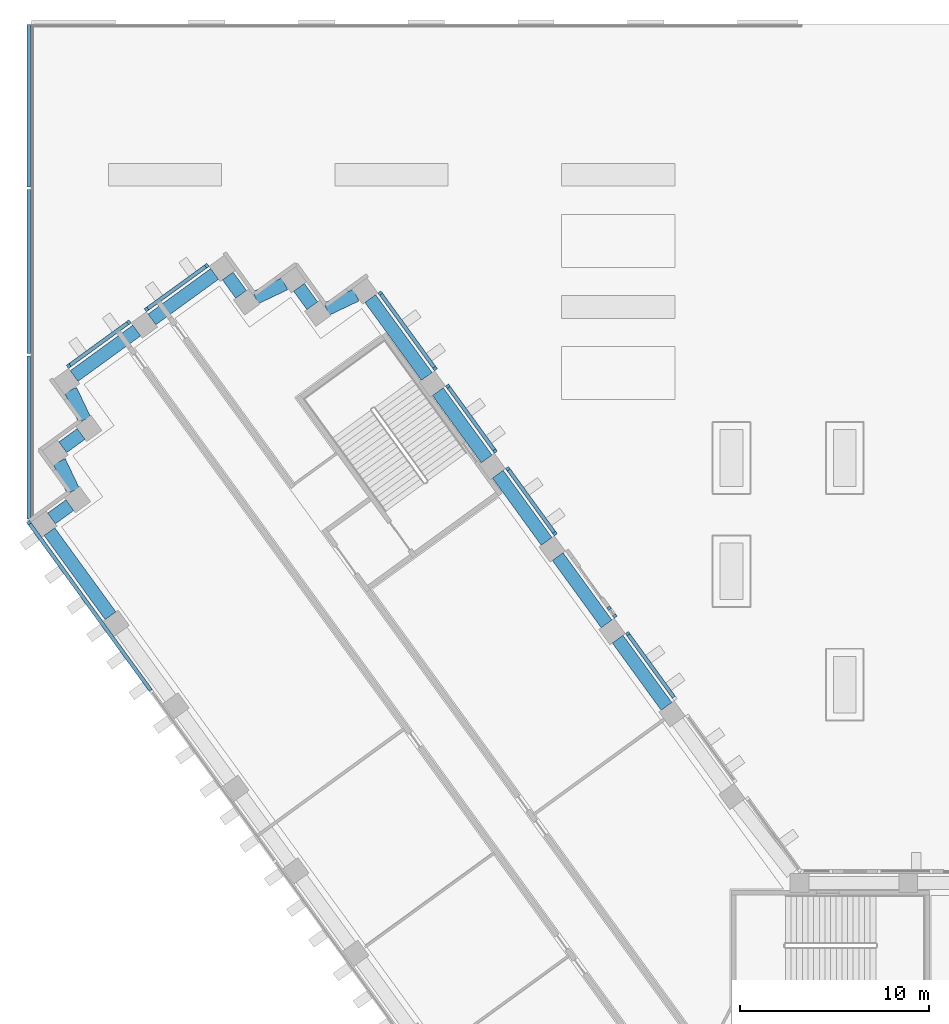
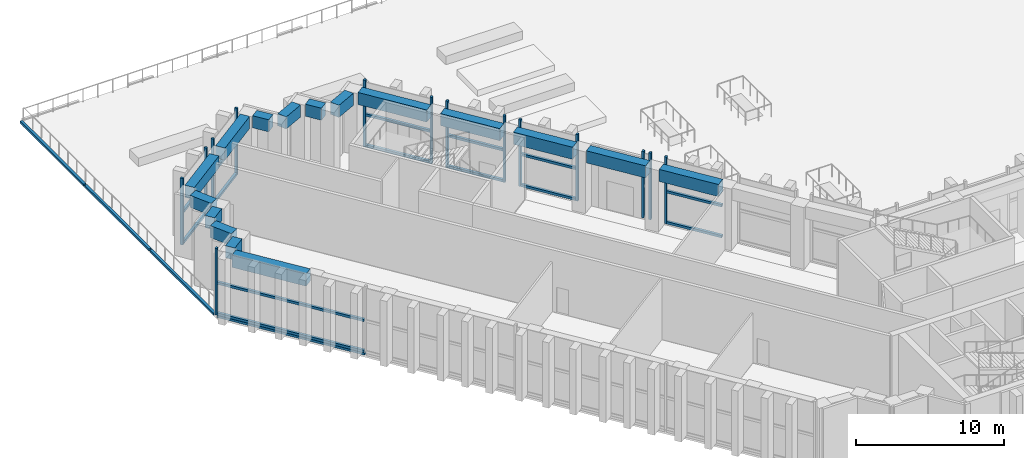
"""IFC4 building model written with IfcOpenShell, lengths in metres."""

from ifc_helpers import new_model, si_unit, direction, frame, origin, origin_2d, place, context, subcontext, project, spatial, rectangle, extrude, material, material_profile, profile_set, type_object, element, aggregate, save


model = new_model("IFC4")

# Units and contexts
model_context = context("Model", 3, precision=1e-05, world=origin(), true_north=direction((0.0, 1.0)))
body_context = subcontext(model_context, "Body", "Model", "MODEL_VIEW")
ifc_project = project(units=[si_unit("LENGTHUNIT", "METRE"), si_unit("AREAUNIT", "SQUARE_METRE"), si_unit("VOLUMEUNIT", "CUBIC_METRE"), si_unit("PLANEANGLEUNIT", "RADIAN"), si_unit("MASSUNIT", "GRAM", prefix="KILO")], contexts=[model_context])

# Site, building, storey
site_placement = place(None, origin())
site = spatial("IfcSite", under=ifc_project, at=site_placement, CompositionType="ELEMENT")
building_placement = place(site_placement, origin())
building = spatial("IfcBuilding", under=site, at=building_placement, Name="Quipu Civic Tower", CompositionType="ELEMENT")
storey_1_placement = place(building_placement, frame((0.0, 0.0, 6.0)))
storey_1 = spatial("IfcBuildingStorey", under=building, at=storey_1_placement, Name="L01", CompositionType="ELEMENT", Elevation=6.0)

# Curtain wall, member
ifc_material_1 = material(Name="Insulated glass unit", Category="glass")
curtain_wall_type_1 = type_object("IfcCurtainWallType", Name="Council chamber curtain wall CW4", PredefinedType="NOTDEFINED", material=ifc_material_1)
curtain_wall_1_placement = place(storey_1_placement, origin())
curtain_wall_1 = element("IfcCurtainWall", 1, at=curtain_wall_1_placement, inside=storey_1, type_object=curtain_wall_type_1, Name="Council chamber curtain wall CW4 L01 run 3", PredefinedType="NOTDEFINED")
ifc_material_2 = material(Name="Anodised aluminium", Category="aluminium")
ifc_material_profile_1 = material_profile(ifc_material_2, rectangle(XDim=0.199951171875, YDim=0.159912109375, at=origin_2d()), Name="RECT 200x160")
ifc_profile_set_1 = profile_set([ifc_material_profile_1], Name="Anodised aluminium")
member_type_1 = type_object("IfcMemberType", Name="Mullion CW4", PredefinedType="MULLION", material=ifc_profile_set_1)
member_1_placement = place(storey_1_placement, frame((-23.495361328125, 23.695556640625, 0.10009765625), z_axis=(0.0, 0.0, 1.0), x_axis=(-0.809024930992, -0.587774328321, 0.0)))
member_1 = element("IfcMember", 2, at=member_1_placement, type_object=member_type_1, Name="CW4 mullion 2", PredefinedType="MULLION", context=body_context, shape_type="SweptSolid", body=[
    extrude(rectangle(XDim=0.199951171875, YDim=0.159912109375, at=origin_2d()), origin(), (0.0, 0.0, 1.0), 5.5),
])

# Curtain wall, members
curtain_wall_2_placement = place(storey_1_placement, origin())
curtain_wall_2 = element("IfcCurtainWall", 3, at=curtain_wall_2_placement, inside=storey_1, type_object=curtain_wall_type_1, Name="Council chamber curtain wall CW4 L01 run 4", PredefinedType="NOTDEFINED")
member_2_placement = place(storey_1_placement, frame((-24.17724609375, 24.634033203125, 0.10009765625), z_axis=(0.0, 0.0, 1.0), x_axis=(-0.809012627105, -0.587791263278, 0.0)))
member_2 = element("IfcMember", 4, at=member_2_placement, type_object=member_type_1, Name="CW4 mullion 1", PredefinedType="MULLION", context=body_context, shape_type="SweptSolid", body=[
    extrude(rectangle(XDim=0.199951171875, YDim=0.159912109375, at=origin_2d()), origin(), (0.0, 0.0, 1.0), 5.5),
])
member_3_placement = place(storey_1_placement, frame((-24.478271484375, 25.048583984375, 0.10009765625), z_axis=(0.0, 0.0, 1.0), x_axis=(-0.809012627105, -0.587791263278, 0.0)))
member_3 = element("IfcMember", 5, at=member_3_placement, type_object=member_type_1, Name="CW4 mullion 2", PredefinedType="MULLION", context=body_context, shape_type="SweptSolid", body=[
    extrude(rectangle(XDim=0.199951171875, YDim=0.159912109375, at=origin_2d()), origin(), (0.0, 0.0, 1.0), 5.5),
])
aggregate(curtain_wall_2, [member_2, member_3])

curtain_wall_3_placement = place(storey_1_placement, origin())
curtain_wall_3 = element("IfcCurtainWall", 6, at=curtain_wall_3_placement, inside=storey_1, type_object=curtain_wall_type_1, Name="Council chamber curtain wall CW4 L01 run 7", PredefinedType="NOTDEFINED")
member_4_placement = place(storey_1_placement, frame((-27.351318359375, 29.0029296875, 0.10009765625), z_axis=(0.0, 0.0, 1.0), x_axis=(-0.809017078969, -0.587785135859, 0.0)))
member_4 = element("IfcMember", 7, at=member_4_placement, type_object=member_type_1, Name="CW4 mullion 1", PredefinedType="MULLION", context=body_context, shape_type="SweptSolid", body=[
    extrude(rectangle(XDim=0.199951171875, YDim=0.159912109375, at=origin_2d()), origin(), (0.0, 0.0, 1.0), 5.5),
])
member_5_placement = place(storey_1_placement, frame((-29.843505859375, 32.43310546875, 0.10009765625), z_axis=(0.0, 0.0, 1.0), x_axis=(-0.809017078969, -0.587785135859, 0.0)))
member_5 = element("IfcMember", 8, at=member_5_placement, type_object=member_type_1, Name="CW4 mullion 2", PredefinedType="MULLION", context=body_context, shape_type="SweptSolid", body=[
    extrude(rectangle(XDim=0.199951171875, YDim=0.159912109375, at=origin_2d()), origin(), (0.0, 0.0, 1.0), 5.5),
])

curtain_wall_4_placement = place(storey_1_placement, origin())
curtain_wall_4 = element("IfcCurtainWall", 9, at=curtain_wall_4_placement, inside=storey_1, type_object=curtain_wall_type_1, Name="Council chamber curtain wall CW4 L01 run 8", PredefinedType="NOTDEFINED")
member_6_placement = place(storey_1_placement, frame((-30.525390625, 33.37158203125, 0.10009765625), z_axis=(0.0, 0.0, 1.0), x_axis=(-0.809014123608, -0.587789203544, 0.0)))
member_6 = element("IfcMember", 10, at=member_6_placement, type_object=member_type_1, Name="CW4 mullion 1", PredefinedType="MULLION", context=body_context, shape_type="SweptSolid", body=[
    extrude(rectangle(XDim=0.199951171875, YDim=0.159912109375, at=origin_2d()), origin(), (0.0, 0.0, 1.0), 5.5),
])
member_7_placement = place(storey_1_placement, frame((-33.017578125, 36.8017578125, 0.10009765625), z_axis=(0.0, 0.0, 1.0), x_axis=(-0.809014123608, -0.587789203544, 0.0)))
member_7 = element("IfcMember", 11, at=member_7_placement, type_object=member_type_1, Name="CW4 mullion 2", PredefinedType="MULLION", context=body_context, shape_type="SweptSolid", body=[
    extrude(rectangle(XDim=0.199951171875, YDim=0.159912109375, at=origin_2d()), origin(), (0.0, 0.0, 1.0), 5.5),
])

curtain_wall_5_placement = place(storey_1_placement, origin())
curtain_wall_5 = element("IfcCurtainWall", 12, at=curtain_wall_5_placement, inside=storey_1, type_object=curtain_wall_type_1, Name="Council chamber curtain wall CW4 L01 run 9", PredefinedType="NOTDEFINED")
member_8_placement = place(storey_1_placement, frame((-33.699462890625, 37.740234375, 0.10009765625), z_axis=(0.0, 0.0, 1.0), x_axis=(-0.809018644949, -0.587782980465, 0.0)))
member_8 = element("IfcMember", 13, at=member_8_placement, type_object=member_type_1, Name="CW4 mullion 1", PredefinedType="MULLION", context=body_context, shape_type="SweptSolid", body=[
    extrude(rectangle(XDim=0.199951171875, YDim=0.159912109375, at=origin_2d()), origin(), (0.0, 0.0, 1.0), 5.5),
])
member_9_placement = place(storey_1_placement, frame((-36.60009765625, 41.732421875, 0.10009765625), z_axis=(0.0, 0.0, 1.0), x_axis=(-0.809018644949, -0.587782980465, 0.0)))
member_9 = element("IfcMember", 14, at=member_9_placement, type_object=member_type_1, Name="CW4 mullion 2", PredefinedType="MULLION", context=body_context, shape_type="SweptSolid", body=[
    extrude(rectangle(XDim=0.199951171875, YDim=0.159912109375, at=origin_2d()), origin(), (0.0, 0.0, 1.0), 5.5),
])

curtain_wall_6_placement = place(storey_1_placement, origin())
curtain_wall_6 = element("IfcCurtainWall", 15, at=curtain_wall_6_placement, inside=storey_1, type_object=curtain_wall_type_1, Name="Council chamber curtain wall CW4 L01 run 14", PredefinedType="NOTDEFINED")
member_10_placement = place(storey_1_placement, frame((-45.791259765625, 43.1884765625, 0.10009765625), z_axis=(0.0, 0.0, 1.0), x_axis=(0.587767018974, -0.809030241342, 0.0)))
member_10 = element("IfcMember", 16, at=member_10_placement, type_object=member_type_1, Name="CW4 mullion 1", PredefinedType="MULLION", context=body_context, shape_type="SweptSolid", body=[
    extrude(rectangle(XDim=0.199951171875, YDim=0.159912109375, at=origin_2d()), origin(), (0.0, 0.0, 1.0), 5.5),
])
member_11_placement = place(storey_1_placement, frame((-48.978759765625, 40.872802734375, 0.10009765625), z_axis=(0.0, 0.0, 1.0), x_axis=(0.587767018974, -0.809030241342, 0.0)))
member_11 = element("IfcMember", 17, at=member_11_placement, type_object=member_type_1, Name="CW4 mullion 2", PredefinedType="MULLION", context=body_context, shape_type="SweptSolid", body=[
    extrude(rectangle(XDim=0.199951171875, YDim=0.159912109375, at=origin_2d()), origin(), (0.0, 0.0, 1.0), 5.5),
])

curtain_wall_7_placement = place(storey_1_placement, origin())
curtain_wall_7 = element("IfcCurtainWall", 18, at=curtain_wall_7_placement, inside=storey_1, type_object=curtain_wall_type_1, Name="Council chamber curtain wall CW4 L01 run 15", PredefinedType="NOTDEFINED")
member_12_placement = place(storey_1_placement, frame((-49.917236328125, 40.19091796875, 0.10009765625), z_axis=(0.0, 0.0, 1.0), x_axis=(0.587788590681, -0.809014568883, 0.0)))
member_12 = element("IfcMember", 19, at=member_12_placement, type_object=member_type_1, Name="CW4 mullion 1", PredefinedType="MULLION", context=body_context, shape_type="SweptSolid", body=[
    extrude(rectangle(XDim=0.199951171875, YDim=0.159912109375, at=origin_2d()), origin(), (0.0, 0.0, 1.0), 5.5),
])
member_13_placement = place(storey_1_placement, frame((-53.103271484375, 37.876220703125, 0.10009765625), z_axis=(0.0, 0.0, 1.0), x_axis=(0.587788590681, -0.809014568883, 0.0)))
member_13 = element("IfcMember", 20, at=member_13_placement, type_object=member_type_1, Name="CW4 mullion 2", PredefinedType="MULLION", context=body_context, shape_type="SweptSolid", body=[
    extrude(rectangle(XDim=0.199951171875, YDim=0.159912109375, at=origin_2d()), origin(), (0.0, 0.0, 1.0), 5.5),
])

# Curtain wall, member
curtain_wall_8_placement = place(storey_1_placement, origin())
curtain_wall_8 = element("IfcCurtainWall", 21, at=curtain_wall_8_placement, inside=storey_1, type_object=curtain_wall_type_1, Name="Council chamber curtain wall CW4 L01 run 20", PredefinedType="NOTDEFINED")
member_14_placement = place(storey_1_placement, frame((-55.20703125, 29.573974609375, 0.10009765625), z_axis=(0.0, 0.0, 1.0), x_axis=(0.809016918788, 0.587785356329, 0.0)))
member_14 = element("IfcMember", 22, at=member_14_placement, type_object=member_type_1, Name="CW4 mullion 1", PredefinedType="MULLION", context=body_context, shape_type="SweptSolid", body=[
    extrude(rectangle(XDim=0.199951171875, YDim=0.159912109375, at=origin_2d()), origin(), (0.0, 0.0, 1.0), 5.5),
])

# Beams
ifc_material_3 = material(Name="Concrete C50/60", Category="concrete")
ifc_material_profile_2 = material_profile(ifc_material_3, rectangle(XDim=0.699951171875, YDim=1.0, at=origin_2d()), Name="RC700x1000")
ifc_profile_set_2 = profile_set([ifc_material_profile_2], Name="Concrete C50/60")
beam_type = type_object("IfcBeamType", Name="Spandrel beam RC 700x1000 C50/60", PredefinedType="SPANDREL", material=ifc_profile_set_2)
for number, where, z_axis, x_axis, name in (
    (23, (-21.441162109375, 19.848388671875, 4.60009765625), (-0.587759228046, 0.809035901457, 0.0), (-0.809035901457, -0.587759228046, 0.0), "Spandrel beam L01 W-IN-02 to W-IN-03"),
    (24, (-24.615234375, 24.217041015625, 4.60009765625), (-0.587732844487, 0.809055068281, 0.0), (-0.809055068281, -0.587732844487, 0.0), "Spandrel beam L01 W-IN-03 to W-IN-04"),
    (25, (-27.7890625, 28.5859375, 4.60009765625), (-0.587759228046, 0.809035901457, 0.0), (-0.809035901457, -0.587759228046, 0.0), "Spandrel beam L01 W-IN-04 to W-IN-05"),
    (26, (-30.962890625, 32.954833984375, 4.60009765625), (-0.587759228046, 0.809035901457, 0.0), (-0.809035901457, -0.587759228046, 0.0), "Spandrel beam L01 W-IN-05 to W-IN-06"),
):
    element("IfcBeam", number, at=place(storey_1_placement, frame(where, z_axis=z_axis, x_axis=x_axis)), inside=storey_1, type_object=beam_type, Name=name, PredefinedType="SPANDREL", context=body_context, shape_type="SweptSolid", body=[
        extrude(rectangle(XDim=0.699951171875, YDim=1.0, at=origin_2d()), origin(), (0.0, 0.0, 1.0), 4.400146484375),
    ])
beam_1_placement = place(storey_1_placement, frame((-34.13671875, 37.32373046875, 4.60009765625), z_axis=(-0.587747065363, 0.809044737426, 0.0), x_axis=(-0.809044737426, -0.587747065363, 0.0)))
element("IfcBeam", 27, at=beam_1_placement, inside=storey_1, type_object=beam_type, Name="Spandrel beam L01 W-IN-06 to T-Wi.0-W50", PredefinedType="SPANDREL", context=body_context, shape_type="SweptSolid", body=[
    extrude(rectangle(XDim=0.699951171875, YDim=1.0, at=origin_2d()), origin(), (0.0, 0.0, 1.0), 5.0947265625),
])
beam_2_placement = place(storey_1_placement, frame((-37.8837890625, 41.630859375, 4.60009765625), z_axis=(-0.902482283387, -0.43072697637, 0.0), x_axis=(0.43072697637, -0.902482283387, 0.0)))
element("IfcBeam", 28, at=beam_2_placement, inside=storey_1, type_object=beam_type, Name="Spandrel beam L01 T-Wi.0-W50 to T-Wi.1-W50", PredefinedType="SPANDREL", context=body_context, shape_type="SweptSolid", body=[
    extrude(rectangle(XDim=0.699951171875, YDim=1.0, at=origin_2d()), origin(), (0.0, 0.0, 1.0), 1.731689453125),
])
beam_3_placement = place(storey_1_placement, frame((-40.19970703125, 41.0703125, 4.60009765625), z_axis=(-0.588316837584, 0.808630508091, 0.0), x_axis=(-0.808630508091, -0.588316837584, 0.0)))
element("IfcBeam", 29, at=beam_3_placement, inside=storey_1, type_object=beam_type, Name="Spandrel beam L01 T-Wi.1-W50 to T-Wi.2-W50", PredefinedType="SPANDREL", context=body_context, shape_type="SweptSolid", body=[
    extrude(rectangle(XDim=0.699951171875, YDim=1.0, at=origin_2d()), origin(), (0.0, 0.0, 1.0), 1.2001953125),
])
beam_4_placement = place(storey_1_placement, frame((-41.658935546875, 42.22607421875, 4.60009765625), z_axis=(-0.902651065962, -0.430373155666, 0.0), x_axis=(0.430373155666, -0.902651065962, 0.0)))
element("IfcBeam", 30, at=beam_4_placement, inside=storey_1, type_object=beam_type, Name="Spandrel beam L01 T-Wi.2-W50 to T-Wi.3-W50", PredefinedType="SPANDREL", context=body_context, shape_type="SweptSolid", body=[
    extrude(rectangle(XDim=0.699951171875, YDim=1.0, at=origin_2d()), origin(), (0.0, 0.0, 1.0), 1.724609375),
])
beam_5_placement = place(storey_1_placement, frame((-43.96875, 41.669189453125, 4.60009765625), z_axis=(-0.588461629015, 0.808525145667, 0.0), x_axis=(-0.808525145667, -0.588461629015, 0.0)))
element("IfcBeam", 31, at=beam_5_placement, inside=storey_1, type_object=beam_type, Name="Spandrel beam L01 T-Wi.3-W50 to T-Wi.4-W50", PredefinedType="SPANDREL", context=body_context, shape_type="SweptSolid", body=[
    extrude(rectangle(XDim=0.699951171875, YDim=1.0, at=origin_2d()), origin(), (0.0, 0.0, 1.0), 1.201416015625),
])
beam_6_placement = place(storey_1_placement, frame((-45.37451171875, 42.7509765625, 4.60009765625), z_axis=(-0.808983206573, -0.587831754401, 0.0), x_axis=(0.587831754401, -0.808983206573, 0.0)))
element("IfcBeam", 32, at=beam_6_placement, inside=storey_1, type_object=beam_type, Name="Spandrel beam L01 T-Wi.4-W50 to TIP-W-01-W50", PredefinedType="SPANDREL", context=body_context, shape_type="SweptSolid", body=[
    extrude(rectangle(XDim=0.699951171875, YDim=1.0, at=origin_2d()), origin(), (0.0, 0.0, 1.0), 4.10009765625),
])
beam_7_placement = place(storey_1_placement, frame((-49.500244140625, 39.7529296875, 4.60009765625), z_axis=(-0.808980758408, -0.587835123589, 0.0), x_axis=(0.587835123589, -0.808980758408, 0.0)))
element("IfcBeam", 33, at=beam_7_placement, inside=storey_1, type_object=beam_type, Name="Spandrel beam L01 TIP-W-01-W50 to T-Wo.0-W50", PredefinedType="SPANDREL", context=body_context, shape_type="SweptSolid", body=[
    extrude(rectangle(XDim=0.699951171875, YDim=1.0, at=origin_2d()), origin(), (0.0, 0.0, 1.0), 4.097900390625),
])
beam_8_placement = place(storey_1_placement, frame((-53.001220703125, 36.5908203125, 4.60009765625), z_axis=(0.430185740912, -0.902740399182, 0.0), x_axis=(0.902740399182, 0.430185740912, 0.0)))
element("IfcBeam", 34, at=beam_8_placement, inside=storey_1, type_object=beam_type, Name="Spandrel beam L01 T-Wo.0-W50 to T-Wo.1-W50", PredefinedType="SPANDREL", context=body_context, shape_type="SweptSolid", body=[
    extrude(rectangle(XDim=0.699951171875, YDim=1.0, at=origin_2d()), origin(), (0.0, 0.0, 1.0), 1.728759765625),
])
beam_9_placement = place(storey_1_placement, frame((-52.443115234375, 34.27685546875, 4.60009765625), z_axis=(-0.808586856323, -0.588376831446, 0.0), x_axis=(0.588376831446, -0.808586856323, 0.0)))
element("IfcBeam", 35, at=beam_9_placement, inside=storey_1, type_object=beam_type, Name="Spandrel beam L01 T-Wo.1-W50 to T-Wo.2-W50", PredefinedType="SPANDREL", context=body_context, shape_type="SweptSolid", body=[
    extrude(rectangle(XDim=0.699951171875, YDim=1.0, at=origin_2d()), origin(), (0.0, 0.0, 1.0), 1.202880859375),
])
beam_10_placement = place(storey_1_placement, frame((-53.6005859375, 32.81640625, 4.60009765625), z_axis=(0.431370473785, -0.902174880135, 0.0), x_axis=(0.902174880135, 0.431370473785, 0.0)))
element("IfcBeam", 36, at=beam_10_placement, inside=storey_1, type_object=beam_type, Name="Spandrel beam L01 T-Wo.2-W50 to T-Wo.3-W50", PredefinedType="SPANDREL", context=body_context, shape_type="SweptSolid", body=[
    extrude(rectangle(XDim=0.699951171875, YDim=1.0, at=origin_2d()), origin(), (0.0, 0.0, 1.0), 1.727294921875),
])
beam_11_placement = place(storey_1_placement, frame((-53.040283203125, 30.50537109375, 4.60009765625), z_axis=(-0.808630508091, -0.588316837584, 0.0), x_axis=(0.588316837584, -0.808630508091, 0.0)))
element("IfcBeam", 37, at=beam_11_placement, inside=storey_1, type_object=beam_type, Name="Spandrel beam L01 T-Wo.3-W50 to T-Wo.4-W50", PredefinedType="SPANDREL", context=body_context, shape_type="SweptSolid", body=[
    extrude(rectangle(XDim=0.699951171875, YDim=1.0, at=origin_2d()), origin(), (0.0, 0.0, 1.0), 1.2001953125),
])
beam_12_placement = place(storey_1_placement, frame((-54.12109375, 29.1005859375, 4.60009765625), z_axis=(0.587765432916, -0.809031393624, 0.0), x_axis=(0.809031393624, 0.587765432916, 0.0)))
element("IfcBeam", 38, at=beam_12_placement, inside=storey_1, type_object=beam_type, Name="Spandrel beam L01 T-Wo.4-W50 to W-OUT-07", PredefinedType="SPANDREL", context=body_context, shape_type="SweptSolid", body=[
    extrude(rectangle(XDim=0.699951171875, YDim=1.0, at=origin_2d()), origin(), (0.0, 0.0, 1.0), 5.503662109375),
])

# Storey
storey_2_placement = place(building_placement, origin())
storey_2 = spatial("IfcBuildingStorey", under=building, at=storey_2_placement, Name="L00", CompositionType="ELEMENT", Elevation=0.0)

# Curtain wall, members
ifc_material_4 = material(Name="Insulated glass unit", Category="glass")
curtain_wall_type_2 = type_object("IfcCurtainWallType", Name="Hall glazing CW2", PredefinedType="NOTDEFINED", material=ifc_material_4)
curtain_wall_9_placement = place(storey_2_placement, origin())
curtain_wall_9 = element("IfcCurtainWall", 39, at=curtain_wall_9_placement, inside=storey_2, type_object=curtain_wall_type_2, Name="Hall glazing CW2 L00 run 32", PredefinedType="NOTDEFINED")
ifc_material_5 = material(Name="Anodised aluminium", Category="aluminium")
ifc_material_profile_3 = material_profile(ifc_material_5, rectangle(XDim=0.199951171875, YDim=0.179931640625, at=origin_2d()), Name="RECT 200x180")
ifc_profile_set_3 = profile_set([ifc_material_profile_3], Name="Anodised aluminium")
member_type_2 = type_object("IfcMemberType", Name="Transom CW2", PredefinedType="USERDEFINED", material=ifc_profile_set_3)
member_15_placement = place(storey_1_placement, frame((-55.21435546875, 55.9599609375, 0.0), z_axis=(0.0, -1.0, 0.0), x_axis=(1.0, 0.0, 0.0)))
member_15 = element("IfcMember", 40, at=member_15_placement, inside=storey_1, type_object=member_type_2, Name="CW2 transom 1.3", ObjectType="TRANSOM", PredefinedType="USERDEFINED", context=body_context, shape_type="SweptSolid", body=[
    extrude(rectangle(XDim=0.199951171875, YDim=0.179931640625, at=origin_2d()), origin(), (0.0, 0.0, 1.0), 8.609130859375),
])
member_16_placement = place(storey_1_placement, frame((-55.21435546875, 47.210693359375, 0.0), z_axis=(0.0, -1.0, 0.0), x_axis=(1.0, 0.0, 0.0)))
member_16 = element("IfcMember", 41, at=member_16_placement, inside=storey_1, type_object=member_type_2, Name="CW2 transom 2.3", ObjectType="TRANSOM", PredefinedType="USERDEFINED", context=body_context, shape_type="SweptSolid", body=[
    extrude(rectangle(XDim=0.199951171875, YDim=0.179931640625, at=origin_2d()), origin(), (0.0, 0.0, 1.0), 8.67919921875),
])
member_17_placement = place(storey_1_placement, frame((-55.21435546875, 38.3916015625, 0.0), z_axis=(0.0, -1.0, 0.0), x_axis=(1.0, 0.0, 0.0)))
member_17 = element("IfcMember", 42, at=member_17_placement, inside=storey_1, type_object=member_type_2, Name="CW2 transom 3.3", ObjectType="TRANSOM", PredefinedType="USERDEFINED", context=body_context, shape_type="SweptSolid", body=[
    extrude(rectangle(XDim=0.199951171875, YDim=0.179931640625, at=origin_2d()), origin(), (0.0, 0.0, 1.0), 8.609130859375),
])
aggregate(curtain_wall_9, [member_15, member_16, member_17])

# Curtain wall, member
curtain_wall_10_placement = place(storey_2_placement, origin())
curtain_wall_10 = element("IfcCurtainWall", 43, at=curtain_wall_10_placement, inside=storey_2, type_object=curtain_wall_type_2, Name="Hall glazing CW2 L00 run 35", PredefinedType="NOTDEFINED")
member_18_placement = place(storey_1_placement, frame((-55.13720703125, 29.47802734375, 0.0), z_axis=(0.587763979163, -0.809032449781, 0.0), x_axis=(0.809032449781, 0.587763979163, 0.0)))
member_18 = element("IfcMember", 44, at=member_18_placement, inside=storey_1, type_object=member_type_2, Name="CW2 transom 1.3", ObjectType="TRANSOM", PredefinedType="USERDEFINED", context=body_context, shape_type="SweptSolid", body=[
    extrude(rectangle(XDim=0.199951171875, YDim=0.179931640625, at=origin_2d()), origin(), (0.0, 0.0, 1.0), 10.89697265625),
])
aggregate(curtain_wall_10, [member_18])

# Member
ifc_material_6 = material(Name="Anodised aluminium", Category="aluminium")
ifc_material_profile_4 = material_profile(ifc_material_6, rectangle(XDim=0.199951171875, YDim=0.199951171875, at=origin_2d()), Name="RECT 200x200")
ifc_profile_set_4 = profile_set([ifc_material_profile_4], Name="Anodised aluminium")
member_type_3 = type_object("IfcMemberType", Name="Transom CW4", PredefinedType="USERDEFINED", material=ifc_profile_set_4)
member_19_placement = place(storey_1_placement, frame((-21.05029296875, 20.330078125, 0.199951171875), z_axis=(-0.587790931986, 0.809012867805, 0.0), x_axis=(-0.809012867805, -0.587790931986, 0.0)))
member_19 = element("IfcMember", 45, at=member_19_placement, type_object=member_type_3, Name="CW4 transom 1.1", ObjectType="TRANSOM", PredefinedType="USERDEFINED", context=body_context, shape_type="SweptSolid", body=[
    extrude(rectangle(XDim=0.199951171875, YDim=0.199951171875, at=origin_2d()), origin(), (0.0, 0.0, 1.0), 4.080078125),
])

member_20_placement = place(storey_1_placement, frame((-21.05029296875, 20.330078125, 2.75), z_axis=(-0.587790931986, 0.809012867805, 0.0), x_axis=(-0.809012867805, -0.587790931986, 0.0)))
member_20 = element("IfcMember", 46, at=member_20_placement, type_object=member_type_3, Name="CW4 transom 1.2", ObjectType="TRANSOM", PredefinedType="USERDEFINED", context=body_context, shape_type="SweptSolid", body=[
    extrude(rectangle(XDim=0.199951171875, YDim=0.199951171875, at=origin_2d()), origin(), (0.0, 0.0, 1.0), 4.080078125),
])

aggregate(curtain_wall_1, [member_1, member_19, member_20])

member_21_placement = place(storey_1_placement, frame((-27.3984375, 29.067626953125, 0.199951171875), z_axis=(-0.587790931986, 0.809012867805, 0.0), x_axis=(-0.809012867805, -0.587790931986, 0.0)))
member_21 = element("IfcMember", 47, at=member_21_placement, type_object=member_type_3, Name="CW4 transom 1.1", ObjectType="TRANSOM", PredefinedType="USERDEFINED", context=body_context, shape_type="SweptSolid", body=[
    extrude(rectangle(XDim=0.199951171875, YDim=0.199951171875, at=origin_2d()), origin(), (0.0, 0.0, 1.0), 4.080078125),
])

member_22_placement = place(storey_1_placement, frame((-27.3984375, 29.067626953125, 2.75), z_axis=(-0.587790931986, 0.809012867805, 0.0), x_axis=(-0.809012867805, -0.587790931986, 0.0)))
member_22 = element("IfcMember", 48, at=member_22_placement, type_object=member_type_3, Name="CW4 transom 1.2", ObjectType="TRANSOM", PredefinedType="USERDEFINED", context=body_context, shape_type="SweptSolid", body=[
    extrude(rectangle(XDim=0.199951171875, YDim=0.199951171875, at=origin_2d()), origin(), (0.0, 0.0, 1.0), 4.080078125),
])

aggregate(curtain_wall_3, [member_4, member_5, member_21, member_22])

member_23_placement = place(storey_1_placement, frame((-30.572509765625, 33.436279296875, 0.199951171875), z_axis=(-0.587790931986, 0.809012867805, 0.0), x_axis=(-0.809012867805, -0.587790931986, 0.0)))
member_23 = element("IfcMember", 49, at=member_23_placement, type_object=member_type_3, Name="CW4 transom 1.1", ObjectType="TRANSOM", PredefinedType="USERDEFINED", context=body_context, shape_type="SweptSolid", body=[
    extrude(rectangle(XDim=0.199951171875, YDim=0.199951171875, at=origin_2d()), origin(), (0.0, 0.0, 1.0), 4.080078125),
])

member_24_placement = place(storey_1_placement, frame((-30.572509765625, 33.436279296875, 2.75), z_axis=(-0.587790931986, 0.809012867805, 0.0), x_axis=(-0.809012867805, -0.587790931986, 0.0)))
member_24 = element("IfcMember", 50, at=member_24_placement, type_object=member_type_3, Name="CW4 transom 1.2", ObjectType="TRANSOM", PredefinedType="USERDEFINED", context=body_context, shape_type="SweptSolid", body=[
    extrude(rectangle(XDim=0.199951171875, YDim=0.199951171875, at=origin_2d()), origin(), (0.0, 0.0, 1.0), 4.080078125),
])

aggregate(curtain_wall_4, [member_6, member_7, member_23, member_24])

member_25_placement = place(storey_1_placement, frame((-33.74658203125, 37.804931640625, 0.199951171875), z_axis=(-0.587773342072, 0.809025647522, 0.0), x_axis=(-0.809025647522, -0.587773342072, 0.0)))
member_25 = element("IfcMember", 51, at=member_25_placement, type_object=member_type_3, Name="CW4 transom 1.1", ObjectType="TRANSOM", PredefinedType="USERDEFINED", context=body_context, shape_type="SweptSolid", body=[
    extrude(rectangle(XDim=0.199951171875, YDim=0.199951171875, at=origin_2d()), origin(), (0.0, 0.0, 1.0), 4.774658203125),
])

member_26_placement = place(storey_1_placement, frame((-33.74658203125, 37.804931640625, 2.75), z_axis=(-0.587773342072, 0.809025647522, 0.0), x_axis=(-0.809025647522, -0.587773342072, 0.0)))
member_26 = element("IfcMember", 52, at=member_26_placement, type_object=member_type_3, Name="CW4 transom 1.2", ObjectType="TRANSOM", PredefinedType="USERDEFINED", context=body_context, shape_type="SweptSolid", body=[
    extrude(rectangle(XDim=0.199951171875, YDim=0.199951171875, at=origin_2d()), origin(), (0.0, 0.0, 1.0), 4.774658203125),
])

aggregate(curtain_wall_5, [member_8, member_9, member_25, member_26])

member_27_placement = place(storey_1_placement, frame((-45.85595703125, 43.1416015625, 0.199951171875), z_axis=(-0.809006911497, -0.587799129933, 0.0), x_axis=(0.587799129933, -0.809006911497, 0.0)))
member_27 = element("IfcMember", 53, at=member_27_placement, type_object=member_type_3, Name="CW4 transom 1.1", ObjectType="TRANSOM", PredefinedType="USERDEFINED", context=body_context, shape_type="SweptSolid", body=[
    extrude(rectangle(XDim=0.199951171875, YDim=0.199951171875, at=origin_2d()), origin(), (0.0, 0.0, 1.0), 3.780029296875),
])

member_28_placement = place(storey_1_placement, frame((-45.85595703125, 43.1416015625, 2.75), z_axis=(-0.809006911497, -0.587799129933, 0.0), x_axis=(0.587799129933, -0.809006911497, 0.0)))
member_28 = element("IfcMember", 54, at=member_28_placement, type_object=member_type_3, Name="CW4 transom 1.2", ObjectType="TRANSOM", PredefinedType="USERDEFINED", context=body_context, shape_type="SweptSolid", body=[
    extrude(rectangle(XDim=0.199951171875, YDim=0.199951171875, at=origin_2d()), origin(), (0.0, 0.0, 1.0), 3.780029296875),
])

aggregate(curtain_wall_6, [member_10, member_11, member_27, member_28])

member_29_placement = place(storey_1_placement, frame((-49.98193359375, 40.143798828125, 0.199951171875), z_axis=(-0.809026595261, -0.587772037579, 0.0), x_axis=(0.587772037579, -0.809026595261, 0.0)))
member_29 = element("IfcMember", 55, at=member_29_placement, type_object=member_type_3, Name="CW4 transom 1.1", ObjectType="TRANSOM", PredefinedType="USERDEFINED", context=body_context, shape_type="SweptSolid", body=[
    extrude(rectangle(XDim=0.199951171875, YDim=0.199951171875, at=origin_2d()), origin(), (0.0, 0.0, 1.0), 3.778076171875),
])

member_30_placement = place(storey_1_placement, frame((-49.98193359375, 40.143798828125, 2.75), z_axis=(-0.809026595261, -0.587772037579, 0.0), x_axis=(0.587772037579, -0.809026595261, 0.0)))
member_30 = element("IfcMember", 56, at=member_30_placement, type_object=member_type_3, Name="CW4 transom 1.2", ObjectType="TRANSOM", PredefinedType="USERDEFINED", context=body_context, shape_type="SweptSolid", body=[
    extrude(rectangle(XDim=0.199951171875, YDim=0.199951171875, at=origin_2d()), origin(), (0.0, 0.0, 1.0), 3.778076171875),
])

aggregate(curtain_wall_7, [member_12, member_13, member_29, member_30])

member_31_placement = place(storey_1_placement, frame((-55.16015625, 29.50927734375, 0.199951171875), z_axis=(0.587779422244, -0.809021230121, 0.0), x_axis=(0.809021230121, 0.587779422244, 0.0)))
member_31 = element("IfcMember", 57, at=member_31_placement, type_object=member_type_3, Name="CW4 transom 1.1", ObjectType="TRANSOM", PredefinedType="USERDEFINED", context=body_context, shape_type="SweptSolid", body=[
    extrude(rectangle(XDim=0.199951171875, YDim=0.199951171875, at=origin_2d()), origin(), (0.0, 0.0, 1.0), 10.881591796875),
])

member_32_placement = place(storey_1_placement, frame((-55.16015625, 29.50927734375, 2.75), z_axis=(0.587779422244, -0.809021230121, 0.0), x_axis=(0.809021230121, 0.587779422244, 0.0)))
member_32 = element("IfcMember", 58, at=member_32_placement, type_object=member_type_3, Name="CW4 transom 1.2", ObjectType="TRANSOM", PredefinedType="USERDEFINED", context=body_context, shape_type="SweptSolid", body=[
    extrude(rectangle(XDim=0.199951171875, YDim=0.199951171875, at=origin_2d()), origin(), (0.0, 0.0, 1.0), 10.881591796875),
])

aggregate(curtain_wall_8, [member_14, member_31, member_32])

save(model, "model.ifc")
